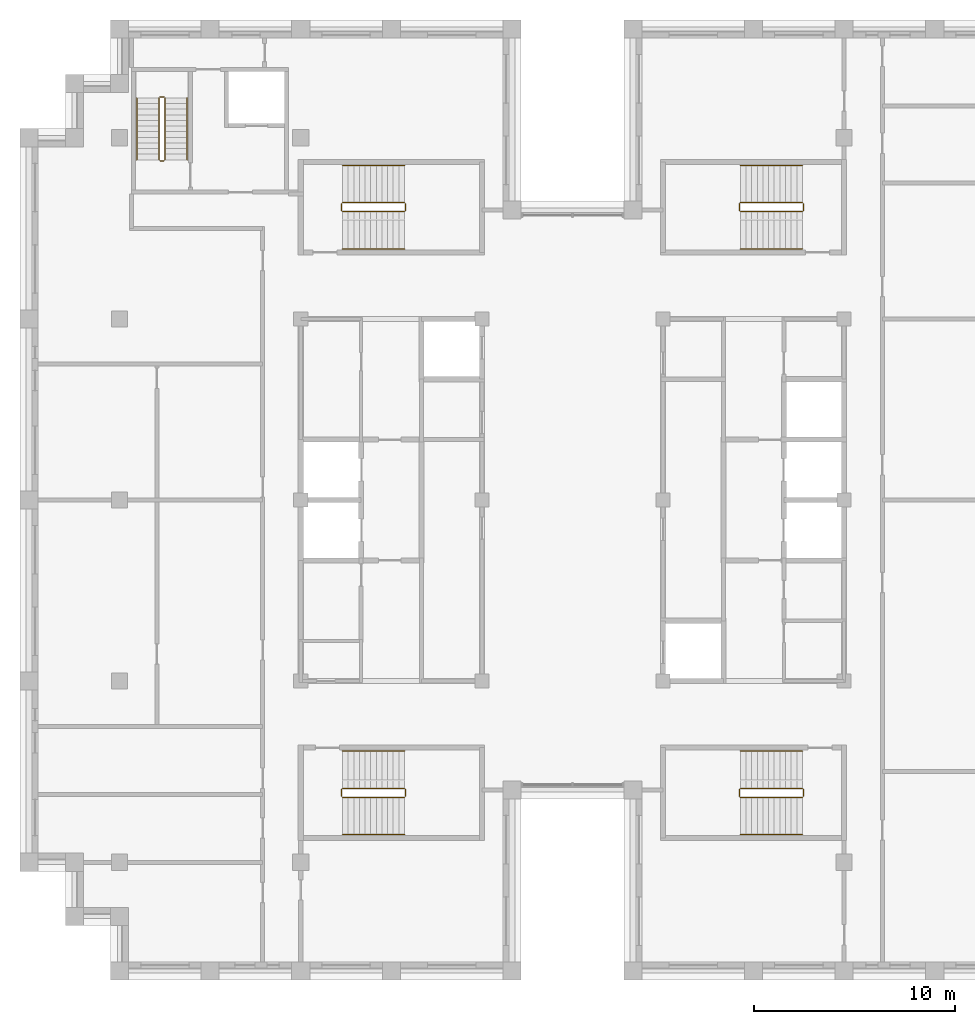
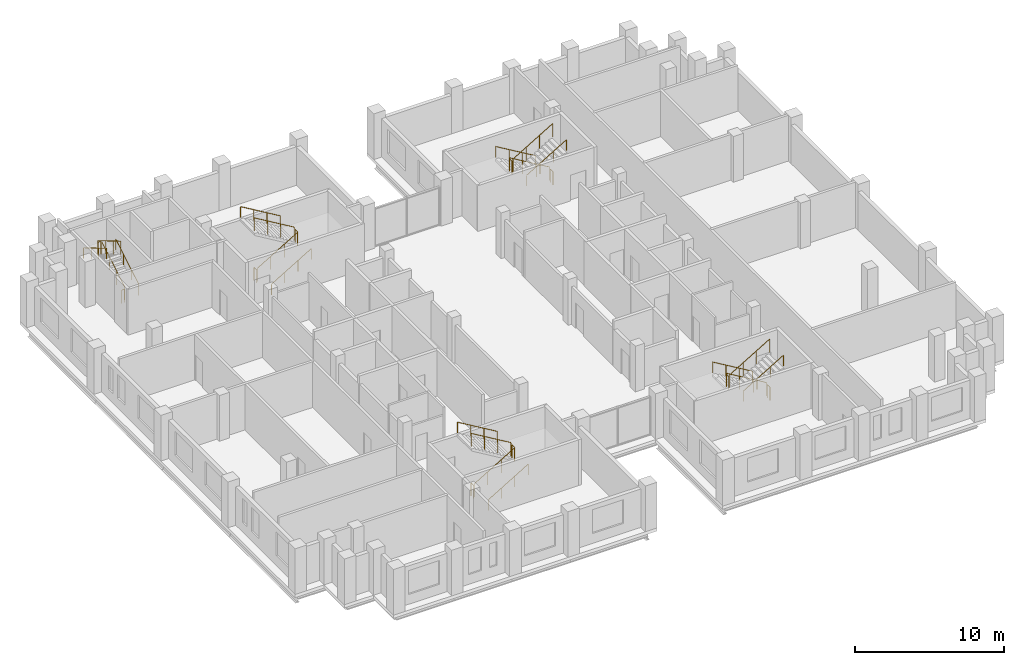
# One storey, part 13 of 13: 5 railings.
"""IFC4 building model written with IfcOpenShell, lengths in metres."""

from ifc_helpers import new_model, si_unit, direction, frame, origin, origin_2d, place, context, subcontext, project, spatial, circle, extrude, material, type_object, element, save


model = new_model("IFC4")

# Units and contexts
model_context = context("Model", 3, precision=1e-05, world=origin(), true_north=direction((0.0, 1.0)))
body_context = subcontext(model_context, "Body", "Model", "MODEL_VIEW")
ifc_project = project(units=[si_unit("LENGTHUNIT", "METRE"), si_unit("AREAUNIT", "SQUARE_METRE"), si_unit("VOLUMEUNIT", "CUBIC_METRE"), si_unit("PLANEANGLEUNIT", "RADIAN"), si_unit("MASSUNIT", "GRAM", prefix="KILO")], contexts=[model_context])

# Site, building, storey
site_placement = place(None, origin())
site = spatial("IfcSite", under=ifc_project, at=site_placement, CompositionType="ELEMENT")
building_placement = place(site_placement, origin())
building = spatial("IfcBuilding", under=site, at=building_placement, Name="Corbelhall Arena Tower", CompositionType="ELEMENT")
storey_placement = place(building_placement, frame((0.0, 0.0, 308.0)))
storey = spatial("IfcBuildingStorey", under=building, at=storey_placement, Name="L67", CompositionType="ELEMENT", Elevation=308.0)

# Railings
ifc_material = material(Name="Steel ASTM A500 Gr C", Category="steel")
railing_type = type_object("IfcRailingType", Name="IN-GD-1100", PredefinedType="GUARDRAIL", material=ifc_material)
railing_1_placement = place(storey_placement, frame((-11.425048828125, 14.324951171875, 0.166748046875)))
element("IfcRailing", 1, at=railing_1_placement, inside=storey, type_object=railing_type, Name="L67 ST1 stair guards and handrails", PredefinedType="GUARDRAIL", context=body_context, shape_type="SweptSolid", body=[
    extrude(circle(Radius=0.02392578125, at=origin_2d()), frame((0.0, 0.0, 1.076171875), z_axis=(0.859308565015, 0.0, 0.511457515432), x_axis=(0.0, 1.0, 0.0)), (0.0, 0.0, 1.0), 3.58447265625),
    extrude(circle(Radius=0.02392578125, at=origin_2d()), frame((3.130126953125, 0.050048828125, 2.9091796875), z_axis=(0.0, 1.0, 0.0), x_axis=(-1.0, 0.0, 0.0)), (0.0, 0.0, 1.0), 0.35009765625),
    extrude(circle(Radius=0.02392578125, at=origin_2d()), frame((3.080078125, 0.449951171875, 3.076171875), z_axis=(-0.859308565015, 0.0, 0.511457515432), x_axis=(0.0, -1.0, 0.0)), (0.0, 0.0, 1.0), 3.58447265625),
    extrude(circle(Radius=0.02392578125, at=origin_2d()), frame((-0.050048828125, 0.050048828125, 0.9091796875), z_axis=(0.0, 1.0, 0.0), x_axis=(-1.0, 0.0, 0.0)), (0.0, 0.0, 1.0), 0.35009765625),
    extrude(circle(Radius=0.02392578125, at=origin_2d()), frame((0.0, -1.849853515625, 0.8759765625), z_axis=(0.859308565015, 0.0, 0.511457515432), x_axis=(0.0, 1.0, 0.0)), (0.0, 0.0, 1.0), 3.58447265625),
    extrude(circle(Radius=0.02392578125, at=origin_2d()), frame((3.080078125, 2.300048828125, 2.8759765625), z_axis=(-0.859308565015, 0.0, 0.511457515432), x_axis=(0.0, -1.0, 0.0)), (0.0, 0.0, 1.0), 3.58447265625),
    extrude(circle(Radius=0.02099609375, at=origin_2d()), origin(), (0.0, 0.0, 1.0), 1.052001953125),
    extrude(circle(Radius=0.02099609375, at=origin_2d()), frame((1.026611328125, 0.0, 0.611083984375)), (0.0, 0.0, 1.0), 1.052001953125),
    extrude(circle(Radius=0.02099609375, at=origin_2d()), frame((2.053466796875, 0.0, 1.22216796875)), (0.0, 0.0, 1.0), 1.052001953125),
    extrude(circle(Radius=0.02099609375, at=origin_2d()), frame((3.080078125, 0.0, 1.833251953125)), (0.0, 0.0, 1.0), 1.052001953125),
    extrude(circle(Radius=0.02099609375, at=origin_2d()), frame((3.130126953125, 0.050048828125, 1.833251953125)), (0.0, 0.0, 1.0), 1.052001953125),
    extrude(circle(Radius=0.02099609375, at=origin_2d()), frame((3.130126953125, 0.400146484375, 1.833251953125)), (0.0, 0.0, 1.0), 1.052001953125),
    extrude(circle(Radius=0.02099609375, at=origin_2d()), frame((3.080078125, 0.449951171875, 2.0)), (0.0, 0.0, 1.0), 1.052001953125),
    extrude(circle(Radius=0.02099609375, at=origin_2d()), frame((2.053466796875, 0.449951171875, 2.611083984375)), (0.0, 0.0, 1.0), 1.052001953125),
    extrude(circle(Radius=0.02099609375, at=origin_2d()), frame((1.026611328125, 0.449951171875, 3.22216796875)), (0.0, 0.0, 1.0), 1.052001953125),
    extrude(circle(Radius=0.02099609375, at=origin_2d()), frame((0.0, 0.449951171875, 3.833251953125)), (0.0, 0.0, 1.0), 1.052001953125),
    extrude(circle(Radius=0.02099609375, at=origin_2d()), frame((-0.050048828125, 0.050048828125, -0.166748046875)), (0.0, 0.0, 1.0), 1.052001953125),
    extrude(circle(Radius=0.02099609375, at=origin_2d()), frame((-0.050048828125, 0.400146484375, -0.166748046875)), (0.0, 0.0, 1.0), 1.052001953125),
    extrude(circle(Radius=0.02099609375, at=origin_2d()), frame((0.0, -1.849853515625, 0.0)), (0.0, 0.0, 1.0), 0.851806640625),
    extrude(circle(Radius=0.02099609375, at=origin_2d()), frame((1.026611328125, -1.849853515625, 0.611083984375)), (0.0, 0.0, 1.0), 0.851806640625),
    extrude(circle(Radius=0.02099609375, at=origin_2d()), frame((2.053466796875, -1.849853515625, 1.22216796875)), (0.0, 0.0, 1.0), 0.851806640625),
    extrude(circle(Radius=0.02099609375, at=origin_2d()), frame((3.080078125, -1.849853515625, 1.833251953125)), (0.0, 0.0, 1.0), 0.851806640625),
    extrude(circle(Radius=0.02099609375, at=origin_2d()), frame((3.080078125, 2.300048828125, 2.0)), (0.0, 0.0, 1.0), 0.851806640625),
    extrude(circle(Radius=0.02099609375, at=origin_2d()), frame((2.053466796875, 2.300048828125, 2.611083984375)), (0.0, 0.0, 1.0), 0.851806640625),
    extrude(circle(Radius=0.02099609375, at=origin_2d()), frame((1.026611328125, 2.300048828125, 3.22216796875)), (0.0, 0.0, 1.0), 0.851806640625),
    extrude(circle(Radius=0.02099609375, at=origin_2d()), frame((0.0, 2.300048828125, 3.833251953125)), (0.0, 0.0, 1.0), 0.851806640625),
])
railing_2_placement = place(storey_placement, frame((-11.425048828125, -14.77490234375, 0.166748046875)))
element("IfcRailing", 2, at=railing_2_placement, inside=storey, type_object=railing_type, Name="L67 ST2 stair guards and handrails", PredefinedType="GUARDRAIL", context=body_context, shape_type="SweptSolid", body=[
    extrude(circle(Radius=0.02392578125, at=origin_2d()), frame((0.0, 0.0, 1.076171875), z_axis=(0.859308565015, 0.0, 0.511457515432), x_axis=(0.0, 1.0, 0.0)), (0.0, 0.0, 1.0), 3.58447265625),
    extrude(circle(Radius=0.02392578125, at=origin_2d()), frame((3.130126953125, 0.0498046875, 2.9091796875), z_axis=(0.0, 1.0, 0.0), x_axis=(-1.0, 0.0, 0.0)), (0.0, 0.0, 1.0), 0.35009765625),
    extrude(circle(Radius=0.02392578125, at=origin_2d()), frame((3.080078125, 0.449951171875, 3.076171875), z_axis=(-0.859308565015, 0.0, 0.511457515432), x_axis=(0.0, -1.0, 0.0)), (0.0, 0.0, 1.0), 3.58447265625),
    extrude(circle(Radius=0.02392578125, at=origin_2d()), frame((-0.050048828125, 0.0498046875, 0.9091796875), z_axis=(0.0, 1.0, 0.0), x_axis=(-1.0, 0.0, 0.0)), (0.0, 0.0, 1.0), 0.35009765625),
    extrude(circle(Radius=0.02392578125, at=origin_2d()), frame((0.0, -1.85009765625, 0.8759765625), z_axis=(0.859308565015, 0.0, 0.511457515432), x_axis=(0.0, 1.0, 0.0)), (0.0, 0.0, 1.0), 3.58447265625),
    extrude(circle(Radius=0.02392578125, at=origin_2d()), frame((3.080078125, 2.2998046875, 2.8759765625), z_axis=(-0.859308565015, 0.0, 0.511457515432), x_axis=(0.0, -1.0, 0.0)), (0.0, 0.0, 1.0), 3.58447265625),
    extrude(circle(Radius=0.02099609375, at=origin_2d()), origin(), (0.0, 0.0, 1.0), 1.052001953125),
    extrude(circle(Radius=0.02099609375, at=origin_2d()), frame((1.026611328125, 0.0, 0.611083984375)), (0.0, 0.0, 1.0), 1.052001953125),
    extrude(circle(Radius=0.02099609375, at=origin_2d()), frame((2.053466796875, 0.0, 1.22216796875)), (0.0, 0.0, 1.0), 1.052001953125),
    extrude(circle(Radius=0.02099609375, at=origin_2d()), frame((3.080078125, 0.0, 1.833251953125)), (0.0, 0.0, 1.0), 1.052001953125),
    extrude(circle(Radius=0.02099609375, at=origin_2d()), frame((3.130126953125, 0.0498046875, 1.833251953125)), (0.0, 0.0, 1.0), 1.052001953125),
    extrude(circle(Radius=0.02099609375, at=origin_2d()), frame((3.130126953125, 0.39990234375, 1.833251953125)), (0.0, 0.0, 1.0), 1.052001953125),
    extrude(circle(Radius=0.02099609375, at=origin_2d()), frame((3.080078125, 0.449951171875, 2.0)), (0.0, 0.0, 1.0), 1.052001953125),
    extrude(circle(Radius=0.02099609375, at=origin_2d()), frame((2.053466796875, 0.449951171875, 2.611083984375)), (0.0, 0.0, 1.0), 1.052001953125),
    extrude(circle(Radius=0.02099609375, at=origin_2d()), frame((1.026611328125, 0.449951171875, 3.22216796875)), (0.0, 0.0, 1.0), 1.052001953125),
    extrude(circle(Radius=0.02099609375, at=origin_2d()), frame((0.0, 0.449951171875, 3.833251953125)), (0.0, 0.0, 1.0), 1.052001953125),
    extrude(circle(Radius=0.02099609375, at=origin_2d()), frame((-0.050048828125, 0.0498046875, -0.166748046875)), (0.0, 0.0, 1.0), 1.052001953125),
    extrude(circle(Radius=0.02099609375, at=origin_2d()), frame((-0.050048828125, 0.39990234375, -0.166748046875)), (0.0, 0.0, 1.0), 1.052001953125),
    extrude(circle(Radius=0.02099609375, at=origin_2d()), frame((0.0, -1.85009765625, 0.0)), (0.0, 0.0, 1.0), 0.851806640625),
    extrude(circle(Radius=0.02099609375, at=origin_2d()), frame((1.026611328125, -1.85009765625, 0.611083984375)), (0.0, 0.0, 1.0), 0.851806640625),
    extrude(circle(Radius=0.02099609375, at=origin_2d()), frame((2.053466796875, -1.85009765625, 1.22216796875)), (0.0, 0.0, 1.0), 0.851806640625),
    extrude(circle(Radius=0.02099609375, at=origin_2d()), frame((3.080078125, -1.85009765625, 1.833251953125)), (0.0, 0.0, 1.0), 0.851806640625),
    extrude(circle(Radius=0.02099609375, at=origin_2d()), frame((3.080078125, 2.2998046875, 2.0)), (0.0, 0.0, 1.0), 0.851806640625),
    extrude(circle(Radius=0.02099609375, at=origin_2d()), frame((2.053466796875, 2.2998046875, 2.611083984375)), (0.0, 0.0, 1.0), 0.851806640625),
    extrude(circle(Radius=0.02099609375, at=origin_2d()), frame((1.026611328125, 2.2998046875, 3.22216796875)), (0.0, 0.0, 1.0), 0.851806640625),
    extrude(circle(Radius=0.02099609375, at=origin_2d()), frame((0.0, 2.2998046875, 3.833251953125)), (0.0, 0.0, 1.0), 0.851806640625),
])
railing_3_placement = place(storey_placement, frame((11.425048828125, 14.77490234375, 0.166748046875)))
element("IfcRailing", 3, at=railing_3_placement, inside=storey, type_object=railing_type, Name="L67 ST3 stair guards and handrails", PredefinedType="GUARDRAIL", context=body_context, shape_type="SweptSolid", body=[
    extrude(circle(Radius=0.02392578125, at=origin_2d()), frame((0.0, 0.0, 1.076171875), z_axis=(-0.859308565015, 0.0, 0.511457515432), x_axis=(0.0, -1.0, 0.0)), (0.0, 0.0, 1.0), 3.58447265625),
    extrude(circle(Radius=0.02392578125, at=origin_2d()), frame((-3.130126953125, -0.0498046875, 2.9091796875), z_axis=(0.0, -1.0, 0.0), x_axis=(1.0, 0.0, 0.0)), (0.0, 0.0, 1.0), 0.35009765625),
    extrude(circle(Radius=0.02392578125, at=origin_2d()), frame((-3.080078125, -0.449951171875, 3.076171875), z_axis=(0.859308565015, 0.0, 0.511457515432), x_axis=(0.0, 1.0, 0.0)), (0.0, 0.0, 1.0), 3.58447265625),
    extrude(circle(Radius=0.02392578125, at=origin_2d()), frame((0.050048828125, -0.0498046875, 0.9091796875), z_axis=(0.0, -1.0, 0.0), x_axis=(1.0, 0.0, 0.0)), (0.0, 0.0, 1.0), 0.35009765625),
    extrude(circle(Radius=0.02392578125, at=origin_2d()), frame((0.0, 1.85009765625, 0.8759765625), z_axis=(-0.859308565015, 0.0, 0.511457515432), x_axis=(0.0, -1.0, 0.0)), (0.0, 0.0, 1.0), 3.58447265625),
    extrude(circle(Radius=0.02392578125, at=origin_2d()), frame((-3.080078125, -2.2998046875, 2.8759765625), z_axis=(0.859308565015, 0.0, 0.511457515432), x_axis=(0.0, 1.0, 0.0)), (0.0, 0.0, 1.0), 3.58447265625),
    extrude(circle(Radius=0.02099609375, at=origin_2d()), origin(), (0.0, 0.0, 1.0), 1.052001953125),
    extrude(circle(Radius=0.02099609375, at=origin_2d()), frame((-1.026611328125, 0.0, 0.611083984375)), (0.0, 0.0, 1.0), 1.052001953125),
    extrude(circle(Radius=0.02099609375, at=origin_2d()), frame((-2.053466796875, 0.0, 1.22216796875)), (0.0, 0.0, 1.0), 1.052001953125),
    extrude(circle(Radius=0.02099609375, at=origin_2d()), frame((-3.080078125, 0.0, 1.833251953125)), (0.0, 0.0, 1.0), 1.052001953125),
    extrude(circle(Radius=0.02099609375, at=origin_2d()), frame((-3.130126953125, -0.0498046875, 1.833251953125)), (0.0, 0.0, 1.0), 1.052001953125),
    extrude(circle(Radius=0.02099609375, at=origin_2d()), frame((-3.130126953125, -0.39990234375, 1.833251953125)), (0.0, 0.0, 1.0), 1.052001953125),
    extrude(circle(Radius=0.02099609375, at=origin_2d()), frame((-3.080078125, -0.449951171875, 2.0)), (0.0, 0.0, 1.0), 1.052001953125),
    extrude(circle(Radius=0.02099609375, at=origin_2d()), frame((-2.053466796875, -0.449951171875, 2.611083984375)), (0.0, 0.0, 1.0), 1.052001953125),
    extrude(circle(Radius=0.02099609375, at=origin_2d()), frame((-1.026611328125, -0.449951171875, 3.22216796875)), (0.0, 0.0, 1.0), 1.052001953125),
    extrude(circle(Radius=0.02099609375, at=origin_2d()), frame((0.0, -0.449951171875, 3.833251953125)), (0.0, 0.0, 1.0), 1.052001953125),
    extrude(circle(Radius=0.02099609375, at=origin_2d()), frame((0.050048828125, -0.0498046875, -0.166748046875)), (0.0, 0.0, 1.0), 1.052001953125),
    extrude(circle(Radius=0.02099609375, at=origin_2d()), frame((0.050048828125, -0.39990234375, -0.166748046875)), (0.0, 0.0, 1.0), 1.052001953125),
    extrude(circle(Radius=0.02099609375, at=origin_2d()), frame((0.0, 1.85009765625, 0.0)), (0.0, 0.0, 1.0), 0.851806640625),
    extrude(circle(Radius=0.02099609375, at=origin_2d()), frame((-1.026611328125, 1.85009765625, 0.611083984375)), (0.0, 0.0, 1.0), 0.851806640625),
    extrude(circle(Radius=0.02099609375, at=origin_2d()), frame((-2.053466796875, 1.85009765625, 1.22216796875)), (0.0, 0.0, 1.0), 0.851806640625),
    extrude(circle(Radius=0.02099609375, at=origin_2d()), frame((-3.080078125, 1.85009765625, 1.833251953125)), (0.0, 0.0, 1.0), 0.851806640625),
    extrude(circle(Radius=0.02099609375, at=origin_2d()), frame((-3.080078125, -2.2998046875, 2.0)), (0.0, 0.0, 1.0), 0.851806640625),
    extrude(circle(Radius=0.02099609375, at=origin_2d()), frame((-2.053466796875, -2.2998046875, 2.611083984375)), (0.0, 0.0, 1.0), 0.851806640625),
    extrude(circle(Radius=0.02099609375, at=origin_2d()), frame((-1.026611328125, -2.2998046875, 3.22216796875)), (0.0, 0.0, 1.0), 0.851806640625),
    extrude(circle(Radius=0.02099609375, at=origin_2d()), frame((0.0, -2.2998046875, 3.833251953125)), (0.0, 0.0, 1.0), 0.851806640625),
])
railing_4_placement = place(storey_placement, frame((11.425048828125, -14.324951171875, 0.166748046875)))
element("IfcRailing", 4, at=railing_4_placement, inside=storey, type_object=railing_type, Name="L67 ST4 stair guards and handrails", PredefinedType="GUARDRAIL", context=body_context, shape_type="SweptSolid", body=[
    extrude(circle(Radius=0.02392578125, at=origin_2d()), frame((0.0, 0.0, 1.076171875), z_axis=(-0.859308565015, 0.0, 0.511457515432), x_axis=(0.0, -1.0, 0.0)), (0.0, 0.0, 1.0), 3.58447265625),
    extrude(circle(Radius=0.02392578125, at=origin_2d()), frame((-3.130126953125, -0.050048828125, 2.9091796875), z_axis=(0.0, -1.0, 0.0), x_axis=(1.0, 0.0, 0.0)), (0.0, 0.0, 1.0), 0.35009765625),
    extrude(circle(Radius=0.02392578125, at=origin_2d()), frame((-3.080078125, -0.449951171875, 3.076171875), z_axis=(0.859308565015, 0.0, 0.511457515432), x_axis=(0.0, 1.0, 0.0)), (0.0, 0.0, 1.0), 3.58447265625),
    extrude(circle(Radius=0.02392578125, at=origin_2d()), frame((0.050048828125, -0.050048828125, 0.9091796875), z_axis=(0.0, -1.0, 0.0), x_axis=(1.0, 0.0, 0.0)), (0.0, 0.0, 1.0), 0.35009765625),
    extrude(circle(Radius=0.02392578125, at=origin_2d()), frame((0.0, 1.849853515625, 0.8759765625), z_axis=(-0.859308565015, 0.0, 0.511457515432), x_axis=(0.0, -1.0, 0.0)), (0.0, 0.0, 1.0), 3.58447265625),
    extrude(circle(Radius=0.02392578125, at=origin_2d()), frame((-3.080078125, -2.300048828125, 2.8759765625), z_axis=(0.859308565015, 0.0, 0.511457515432), x_axis=(0.0, 1.0, 0.0)), (0.0, 0.0, 1.0), 3.58447265625),
    extrude(circle(Radius=0.02099609375, at=origin_2d()), origin(), (0.0, 0.0, 1.0), 1.052001953125),
    extrude(circle(Radius=0.02099609375, at=origin_2d()), frame((-1.026611328125, 0.0, 0.611083984375)), (0.0, 0.0, 1.0), 1.052001953125),
    extrude(circle(Radius=0.02099609375, at=origin_2d()), frame((-2.053466796875, 0.0, 1.22216796875)), (0.0, 0.0, 1.0), 1.052001953125),
    extrude(circle(Radius=0.02099609375, at=origin_2d()), frame((-3.080078125, 0.0, 1.833251953125)), (0.0, 0.0, 1.0), 1.052001953125),
    extrude(circle(Radius=0.02099609375, at=origin_2d()), frame((-3.130126953125, -0.050048828125, 1.833251953125)), (0.0, 0.0, 1.0), 1.052001953125),
    extrude(circle(Radius=0.02099609375, at=origin_2d()), frame((-3.130126953125, -0.400146484375, 1.833251953125)), (0.0, 0.0, 1.0), 1.052001953125),
    extrude(circle(Radius=0.02099609375, at=origin_2d()), frame((-3.080078125, -0.449951171875, 2.0)), (0.0, 0.0, 1.0), 1.052001953125),
    extrude(circle(Radius=0.02099609375, at=origin_2d()), frame((-2.053466796875, -0.449951171875, 2.611083984375)), (0.0, 0.0, 1.0), 1.052001953125),
    extrude(circle(Radius=0.02099609375, at=origin_2d()), frame((-1.026611328125, -0.449951171875, 3.22216796875)), (0.0, 0.0, 1.0), 1.052001953125),
    extrude(circle(Radius=0.02099609375, at=origin_2d()), frame((0.0, -0.449951171875, 3.833251953125)), (0.0, 0.0, 1.0), 1.052001953125),
    extrude(circle(Radius=0.02099609375, at=origin_2d()), frame((0.050048828125, -0.050048828125, -0.166748046875)), (0.0, 0.0, 1.0), 1.052001953125),
    extrude(circle(Radius=0.02099609375, at=origin_2d()), frame((0.050048828125, -0.400146484375, -0.166748046875)), (0.0, 0.0, 1.0), 1.052001953125),
    extrude(circle(Radius=0.02099609375, at=origin_2d()), frame((0.0, 1.849853515625, 0.0)), (0.0, 0.0, 1.0), 0.851806640625),
    extrude(circle(Radius=0.02099609375, at=origin_2d()), frame((-1.026611328125, 1.849853515625, 0.611083984375)), (0.0, 0.0, 1.0), 0.851806640625),
    extrude(circle(Radius=0.02099609375, at=origin_2d()), frame((-2.053466796875, 1.849853515625, 1.22216796875)), (0.0, 0.0, 1.0), 0.851806640625),
    extrude(circle(Radius=0.02099609375, at=origin_2d()), frame((-3.080078125, 1.849853515625, 1.833251953125)), (0.0, 0.0, 1.0), 0.851806640625),
    extrude(circle(Radius=0.02099609375, at=origin_2d()), frame((-3.080078125, -2.300048828125, 2.0)), (0.0, 0.0, 1.0), 0.851806640625),
    extrude(circle(Radius=0.02099609375, at=origin_2d()), frame((-2.053466796875, -2.300048828125, 2.611083984375)), (0.0, 0.0, 1.0), 0.851806640625),
    extrude(circle(Radius=0.02099609375, at=origin_2d()), frame((-1.026611328125, -2.300048828125, 3.22216796875)), (0.0, 0.0, 1.0), 0.851806640625),
    extrude(circle(Radius=0.02099609375, at=origin_2d()), frame((0.0, -2.300048828125, 3.833251953125)), (0.0, 0.0, 1.0), 0.851806640625),
])
railing_5_placement = place(storey_placement, frame((-20.2451171875, 16.89990234375, 0.166748046875)))
element("IfcRailing", 5, at=railing_5_placement, inside=storey, type_object=railing_type, Name="L67 ST5 stair guards and handrails", PredefinedType="GUARDRAIL", context=body_context, shape_type="SweptSolid", body=[
    extrude(circle(Radius=0.02392578125, at=origin_2d()), frame((0.0, 0.0, 1.076171875), z_axis=(0.0, 0.859308565015, 0.511457515432), x_axis=(-1.0, 0.0, 0.0)), (0.0, 0.0, 1.0), 3.58447265625),
    extrude(circle(Radius=0.02392578125, at=origin_2d()), frame((-0.0498046875, 3.130126953125, 2.9091796875), z_axis=(-1.0, 0.0, 0.0), x_axis=(0.0, -1.0, 0.0)), (0.0, 0.0, 1.0), 0.2001953125),
    extrude(circle(Radius=0.02392578125, at=origin_2d()), frame((-0.2998046875, 3.080078125, 3.076171875), z_axis=(0.0, -0.859308565015, 0.511457515432), x_axis=(1.0, 0.0, 0.0)), (0.0, 0.0, 1.0), 3.58447265625),
    extrude(circle(Radius=0.02392578125, at=origin_2d()), frame((-0.0498046875, -0.0498046875, 0.9091796875), z_axis=(-1.0, 0.0, 0.0), x_axis=(0.0, -1.0, 0.0)), (0.0, 0.0, 1.0), 0.2001953125),
    extrude(circle(Radius=0.02392578125, at=origin_2d()), frame((1.10009765625, 0.0, 0.8759765625), z_axis=(0.0, 0.859308565015, 0.511457515432), x_axis=(-1.0, 0.0, 0.0)), (0.0, 0.0, 1.0), 3.58447265625),
    extrude(circle(Radius=0.02392578125, at=origin_2d()), frame((-1.39990234375, 3.080078125, 2.8759765625), z_axis=(0.0, -0.859308565015, 0.511457515432), x_axis=(1.0, 0.0, 0.0)), (0.0, 0.0, 1.0), 3.58447265625),
    extrude(circle(Radius=0.02099609375, at=origin_2d()), origin(), (0.0, 0.0, 1.0), 1.052001953125),
    extrude(circle(Radius=0.02099609375, at=origin_2d()), frame((0.0, 1.026611328125, 0.611083984375)), (0.0, 0.0, 1.0), 1.052001953125),
    extrude(circle(Radius=0.02099609375, at=origin_2d()), frame((0.0, 2.053466796875, 1.22216796875)), (0.0, 0.0, 1.0), 1.052001953125),
    extrude(circle(Radius=0.02099609375, at=origin_2d()), frame((0.0, 3.080078125, 1.833251953125)), (0.0, 0.0, 1.0), 1.052001953125),
    extrude(circle(Radius=0.02099609375, at=origin_2d()), frame((-0.0498046875, 3.130126953125, 1.833251953125)), (0.0, 0.0, 1.0), 1.052001953125),
    extrude(circle(Radius=0.02099609375, at=origin_2d()), frame((-0.25, 3.130126953125, 1.833251953125)), (0.0, 0.0, 1.0), 1.052001953125),
    extrude(circle(Radius=0.02099609375, at=origin_2d()), frame((-0.2998046875, 3.080078125, 2.0)), (0.0, 0.0, 1.0), 1.052001953125),
    extrude(circle(Radius=0.02099609375, at=origin_2d()), frame((-0.2998046875, 2.053466796875, 2.611083984375)), (0.0, 0.0, 1.0), 1.052001953125),
    extrude(circle(Radius=0.02099609375, at=origin_2d()), frame((-0.2998046875, 1.026611328125, 3.22216796875)), (0.0, 0.0, 1.0), 1.052001953125),
    extrude(circle(Radius=0.02099609375, at=origin_2d()), frame((-0.2998046875, 0.0, 3.833251953125)), (0.0, 0.0, 1.0), 1.052001953125),
    extrude(circle(Radius=0.02099609375, at=origin_2d()), frame((-0.0498046875, -0.0498046875, -0.166748046875)), (0.0, 0.0, 1.0), 1.052001953125),
    extrude(circle(Radius=0.02099609375, at=origin_2d()), frame((-0.25, -0.0498046875, -0.166748046875)), (0.0, 0.0, 1.0), 1.052001953125),
    extrude(circle(Radius=0.02099609375, at=origin_2d()), frame((1.10009765625, 0.0, 0.0)), (0.0, 0.0, 1.0), 0.851806640625),
    extrude(circle(Radius=0.02099609375, at=origin_2d()), frame((1.10009765625, 1.026611328125, 0.611083984375)), (0.0, 0.0, 1.0), 0.851806640625),
    extrude(circle(Radius=0.02099609375, at=origin_2d()), frame((1.10009765625, 2.053466796875, 1.22216796875)), (0.0, 0.0, 1.0), 0.851806640625),
    extrude(circle(Radius=0.02099609375, at=origin_2d()), frame((1.10009765625, 3.080078125, 1.833251953125)), (0.0, 0.0, 1.0), 0.851806640625),
    extrude(circle(Radius=0.02099609375, at=origin_2d()), frame((-1.39990234375, 3.080078125, 2.0)), (0.0, 0.0, 1.0), 0.851806640625),
    extrude(circle(Radius=0.02099609375, at=origin_2d()), frame((-1.39990234375, 2.053466796875, 2.611083984375)), (0.0, 0.0, 1.0), 0.851806640625),
    extrude(circle(Radius=0.02099609375, at=origin_2d()), frame((-1.39990234375, 1.026611328125, 3.22216796875)), (0.0, 0.0, 1.0), 0.851806640625),
    extrude(circle(Radius=0.02099609375, at=origin_2d()), frame((-1.39990234375, 0.0, 3.833251953125)), (0.0, 0.0, 1.0), 0.851806640625),
])

save(model, "model.ifc")
